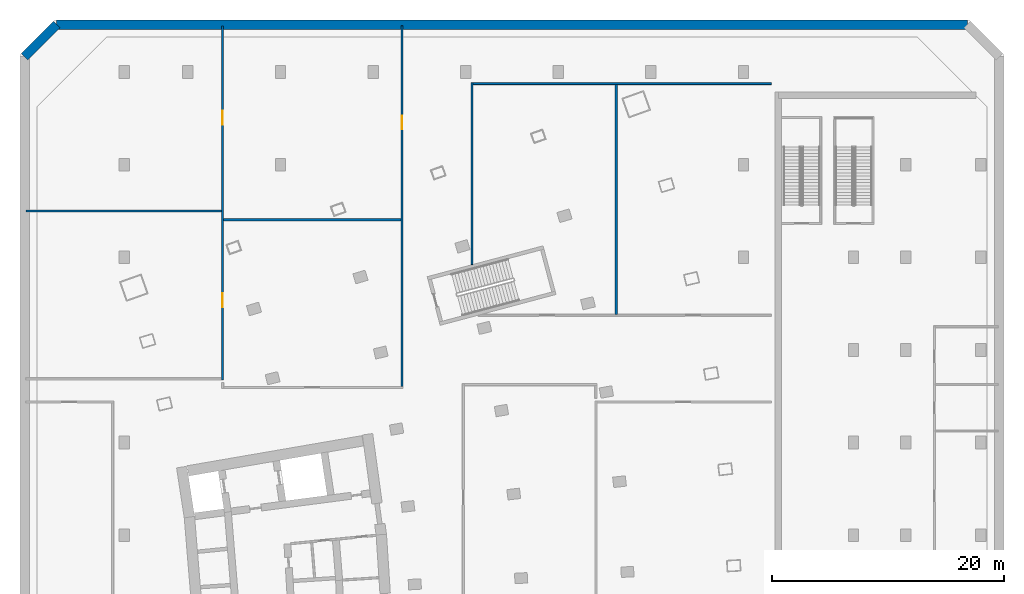
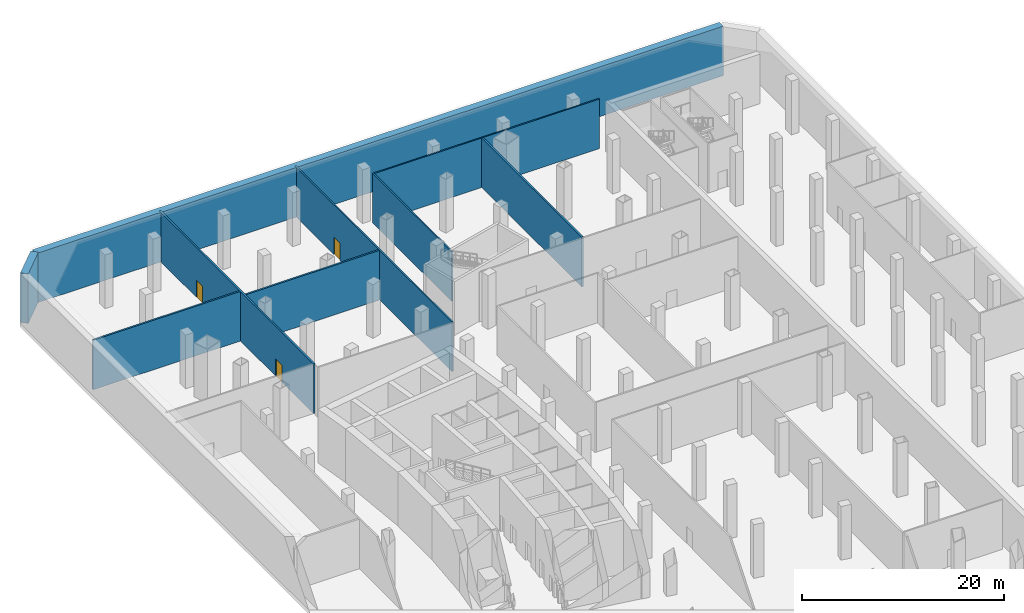
# One storey, part 9 of 16: 9 walls, 3 doors, 3 openings.
"""IFC4 building model written with IfcOpenShell, lengths in metres."""

from ifc_helpers import new_model, si_unit, direction, frame, frame_2d, origin, place, context, subcontext, project, spatial, rectangle, extrude, material, layer, layer_set, type_object, element, fill, save


model = new_model("IFC4")

# Units and contexts
model_context = context("Model", 3, precision=1e-05, world=origin(), true_north=direction((0.0, 1.0)))
body_context = subcontext(model_context, "Body", "Model", "MODEL_VIEW")
ifc_project = project(units=[si_unit("LENGTHUNIT", "METRE"), si_unit("AREAUNIT", "SQUARE_METRE"), si_unit("VOLUMEUNIT", "CUBIC_METRE"), si_unit("PLANEANGLEUNIT", "RADIAN"), si_unit("MASSUNIT", "GRAM", prefix="KILO")], contexts=[model_context])

# Site, building, storey
site_placement = place(None, origin())
site = spatial("IfcSite", under=ifc_project, at=site_placement, CompositionType="ELEMENT")
building_placement = place(site_placement, origin())
building = spatial("IfcBuilding", under=site, at=building_placement, Name="Alderwake Tower", CompositionType="ELEMENT")
storey_placement = place(building_placement, frame((0.0, 0.0, -6.5)))
storey = spatial("IfcBuildingStorey", under=building, at=storey_placement, Name="B1", CompositionType="ELEMENT", Elevation=-6.5)

# Walls
ifc_material_1 = material(Name="Concrete C50/60", Category="concrete")
ifc_layer_1 = layer(ifc_material_1, 0.800048828125)
ifc_layer_set_1 = layer_set([ifc_layer_1], Name="Basement retaining wall 800")
wall_type_1 = type_object("IfcWallType", Name="Basement retaining wall 800", PredefinedType="SOLIDWALL", material=ifc_layer_set_1)
wall_1_placement = place(storey_placement, frame((1.89990234375, 113.334228515625, 0.0), z_axis=(0.0, 0.0, 1.0), x_axis=(0.707106781187, 0.707106781187, 0.0)))
element("IfcWall", 1, at=wall_1_placement, inside=storey, type_object=wall_type_1, Name="Retaining wall 3", PredefinedType="SOLIDWALL", context=body_context, shape_type="SweptSolid", body=[
    extrude(rectangle(XDim=3.91162109375, YDim=0.800048828125, at=frame_2d((1.955810546875, 0.0))), origin(), (0.0, 0.0, 1.0), 6.0),
])
wall_2_placement = place(storey_placement, frame((4.665771484375, 116.10009765625, 0.0), z_axis=(0.0, 0.0, 1.0), x_axis=(1.0, 0.0, 0.0)))
element("IfcWall", 2, at=wall_2_placement, inside=storey, type_object=wall_type_1, Name="Retaining wall 4", PredefinedType="SOLIDWALL", context=body_context, shape_type="SweptSolid", body=[
    extrude(rectangle(XDim=78.66845703125, YDim=0.800048828125, at=frame_2d((39.334228515625, 0.0))), origin(), (0.0, 0.0, 1.0), 6.0),
])

# Wall, opening, door
ifc_material_2 = material(Name="Gypsum board on metal studs, rated")
ifc_layer_2 = layer(ifc_material_2, 0.159912109375)
ifc_layer_set_2 = layer_set([ifc_layer_2], Name="Corridor wall 160")
wall_type_2 = type_object("IfcWallType", Name="Corridor wall 160", PredefinedType="PARTITIONING", material=ifc_layer_set_2)
wall_3_placement = place(storey_placement, frame((34.5, 116.0009765625, 0.0), z_axis=(0.0, 0.0, 1.0), x_axis=(0.0, -1.0, 0.0)))
wall_3 = element("IfcWall", 3, at=wall_3_placement, inside=storey, type_object=wall_type_2, Name="WL/B1/W41", PredefinedType="PARTITIONING", context=body_context, shape_type="SweptSolid", body=[
    extrude(rectangle(XDim=31.1708984375, YDim=0.159912109375, at=frame_2d((15.58544921875, 0.0))), origin(), (0.0, 0.0, 1.0), 6.0),
])
opening_1_placement = place(wall_3_placement, frame((7.7509765625, 0.0, 0.0)))
opening_1 = element("IfcOpeningElement", 4, at=opening_1_placement, cuts=wall_3, Name="Opening B1-23", PredefinedType="OPENING", context=body_context, shape_type="SweptSolid", body=[
    extrude(rectangle(XDim=1.199951171875, YDim=2.10009765625, at=frame_2d((0.60009765625, 1.050048828125))), frame((0.0, 0.08984375, 0.0), z_axis=(0.0, -1.0, 0.0), x_axis=(1.0, 0.0, 0.0)), (0.0, 0.0, 1.0), 0.179931640625),
])
ifc_material_3 = material(Name="Steel door leaf in steel frame", Category="steel")
door_type = type_object("IfcDoorType", Name="Plant room door 1200 steel", OperationType="SINGLE_SWING_LEFT", PredefinedType="DOOR", material=ifc_material_3)
door_1_placement = place(opening_1_placement, origin())
door_1 = element("IfcDoor", 5, at=door_1_placement, inside=storey, type_object=door_type, Name="DR/B1/23", OperationType="SINGLE_SWING_LEFT", OverallHeight=2.10009765625, OverallWidth=1.199951171875, PredefinedType="DOOR", context=body_context, shape_type="SweptSolid", body=[
    extrude(rectangle(XDim=1.199951171875, YDim=2.10009765625, at=frame_2d((0.60009765625, 1.050048828125))), frame((0.0, 0.02490234375, 0.0), z_axis=(0.0, -1.0, 0.0), x_axis=(1.0, 0.0, 0.0)), (0.0, 0.0, 1.0), 0.050048828125),
])
fill(opening_1, door_1)

# Walls
wall_4_placement = place(storey_placement, frame((40.551025390625, 95.361083984375, 0.0), z_axis=(0.0, 0.0, 1.0), x_axis=(0.0, 1.0, 0.0)))
element("IfcWall", 6, at=wall_4_placement, inside=storey, type_object=wall_type_2, Name="WL/B1/W48", PredefinedType="PARTITIONING", context=body_context, shape_type="SweptSolid", body=[
    extrude(rectangle(XDim=15.718994140625, YDim=0.159912109375, at=frame_2d((7.859375, 0.0))), origin(), (0.0, 0.0, 1.0), 6.0),
])
wall_5_placement = place(storey_placement, frame((40.631103515625, 111.0, 0.0), z_axis=(0.0, 0.0, 1.0), x_axis=(1.0, 0.0, 0.0)))
element("IfcWall", 7, at=wall_5_placement, inside=storey, type_object=wall_type_2, Name="WL/B1/W49", PredefinedType="PARTITIONING", context=body_context, shape_type="SweptSolid", body=[
    extrude(rectangle(XDim=25.767822265625, YDim=0.159912109375, at=frame_2d((12.8837890625, 0.0))), origin(), (0.0, 0.0, 1.0), 6.0),
])

# Wall, openings, doors
ifc_material_4 = material(Name="Dense block masonry wall", Category="masonry")
ifc_layer_3 = layer(ifc_material_4, 0.199951171875)
ifc_layer_set_3 = layer_set([ifc_layer_3], Name="Party wall 200")
wall_type_3 = type_object("IfcWallType", Name="Party wall 200", PredefinedType="SOLIDWALL", material=ifc_layer_set_3)
wall_6_placement = place(storey_placement, frame((18.9990234375, 116.0009765625, 0.0), z_axis=(0.0, 0.0, 1.0), x_axis=(0.0, -1.0, 0.0)))
wall_6 = element("IfcWall", 8, at=wall_6_placement, inside=storey, type_object=wall_type_3, Name="WL/B1/W04", PredefinedType="SOLIDWALL", context=body_context, shape_type="SweptSolid", body=[
    extrude(rectangle(XDim=30.5810546875, YDim=0.199951171875, at=frame_2d((15.29052734375, 0.0))), origin(), (0.0, 0.0, 1.0), 6.0),
])
opening_2_placement = place(wall_6_placement, frame((23.10107421875, 0.0, 0.0)))
opening_2 = element("IfcOpeningElement", 9, at=opening_2_placement, cuts=wall_6, Name="Opening B1-20", PredefinedType="OPENING", context=body_context, shape_type="SweptSolid", body=[
    extrude(rectangle(XDim=1.199951171875, YDim=2.10009765625, at=frame_2d((0.60009765625, 1.050048828125))), frame((0.0, 0.10986328125, 0.0), z_axis=(0.0, -1.0, 0.0), x_axis=(1.0, 0.0, 0.0)), (0.0, 0.0, 1.0), 0.219970703125),
])
opening_3_placement = place(wall_6_placement, frame((7.35107421875, 0.0, 0.0)))
opening_3 = element("IfcOpeningElement", 10, at=opening_3_placement, cuts=wall_6, Name="Opening B1-22", PredefinedType="OPENING", context=body_context, shape_type="SweptSolid", body=[
    extrude(rectangle(XDim=1.199951171875, YDim=2.10009765625, at=frame_2d((0.60009765625, 1.050048828125))), frame((0.0, 0.10986328125, 0.0), z_axis=(0.0, -1.0, 0.0), x_axis=(1.0, 0.0, 0.0)), (0.0, 0.0, 1.0), 0.219970703125),
])
door_2_placement = place(opening_2_placement, origin())
door_2 = element("IfcDoor", 11, at=door_2_placement, inside=storey, type_object=door_type, Name="DR/B1/20", OperationType="SINGLE_SWING_LEFT", OverallHeight=2.10009765625, OverallWidth=1.199951171875, PredefinedType="DOOR", context=body_context, shape_type="SweptSolid", body=[
    extrude(rectangle(XDim=1.199951171875, YDim=2.10009765625, at=frame_2d((0.60009765625, 1.050048828125))), frame((0.0, 0.02490234375, 0.0), z_axis=(0.0, -1.0, 0.0), x_axis=(1.0, 0.0, 0.0)), (0.0, 0.0, 1.0), 0.050048828125),
])
fill(opening_2, door_2)
door_3_placement = place(opening_3_placement, origin())
door_3 = element("IfcDoor", 12, at=door_3_placement, inside=storey, type_object=door_type, Name="DR/B1/22", OperationType="SINGLE_SWING_LEFT", OverallHeight=2.10009765625, OverallWidth=1.199951171875, PredefinedType="DOOR", context=body_context, shape_type="SweptSolid", body=[
    extrude(rectangle(XDim=1.199951171875, YDim=2.10009765625, at=frame_2d((0.60009765625, 1.050048828125))), frame((0.0, 0.02490234375, 0.0), z_axis=(0.0, -1.0, 0.0), x_axis=(1.0, 0.0, 0.0)), (0.0, 0.0, 1.0), 0.050048828125),
])
fill(opening_3, door_3)

# Walls
wall_7_placement = place(storey_placement, frame((18.89892578125, 99.9990234375, 0.0), z_axis=(0.0, 0.0, 1.0), x_axis=(-1.0, 0.0, 0.0)))
element("IfcWall", 13, at=wall_7_placement, inside=storey, type_object=wall_type_3, Name="WL/B1/W05", PredefinedType="SOLIDWALL", context=body_context, shape_type="SweptSolid", body=[
    extrude(rectangle(XDim=16.89794921875, YDim=0.199951171875, at=frame_2d((8.448974609375, 0.0))), origin(), (0.0, 0.0, 1.0), 6.0),
])
wall_8_placement = place(storey_placement, frame((34.419921875, 99.2490234375, 0.0), z_axis=(0.0, 0.0, 1.0), x_axis=(-1.0, 0.0, 0.0)))
element("IfcWall", 14, at=wall_8_placement, inside=storey, type_object=wall_type_3, Name="WL/B1/W07", PredefinedType="SOLIDWALL", context=body_context, shape_type="SweptSolid", body=[
    extrude(rectangle(XDim=15.32080078125, YDim=0.199951171875, at=frame_2d((7.660400390625, 0.0))), origin(), (0.0, 0.0, 1.0), 6.0),
])
wall_9_placement = place(storey_placement, frame((53.0009765625, 91.0791015625, 0.0), z_axis=(0.0, 0.0, 1.0), x_axis=(0.0, 1.0, 0.0)))
element("IfcWall", 15, at=wall_9_placement, inside=storey, type_object=wall_type_3, Name="WL/B1/W09", PredefinedType="SOLIDWALL", context=body_context, shape_type="SweptSolid", body=[
    extrude(rectangle(XDim=19.8408203125, YDim=0.199951171875, at=frame_2d((9.92041015625, 0.0))), origin(), (0.0, 0.0, 1.0), 6.0),
])

save(model, "model.ifc")
